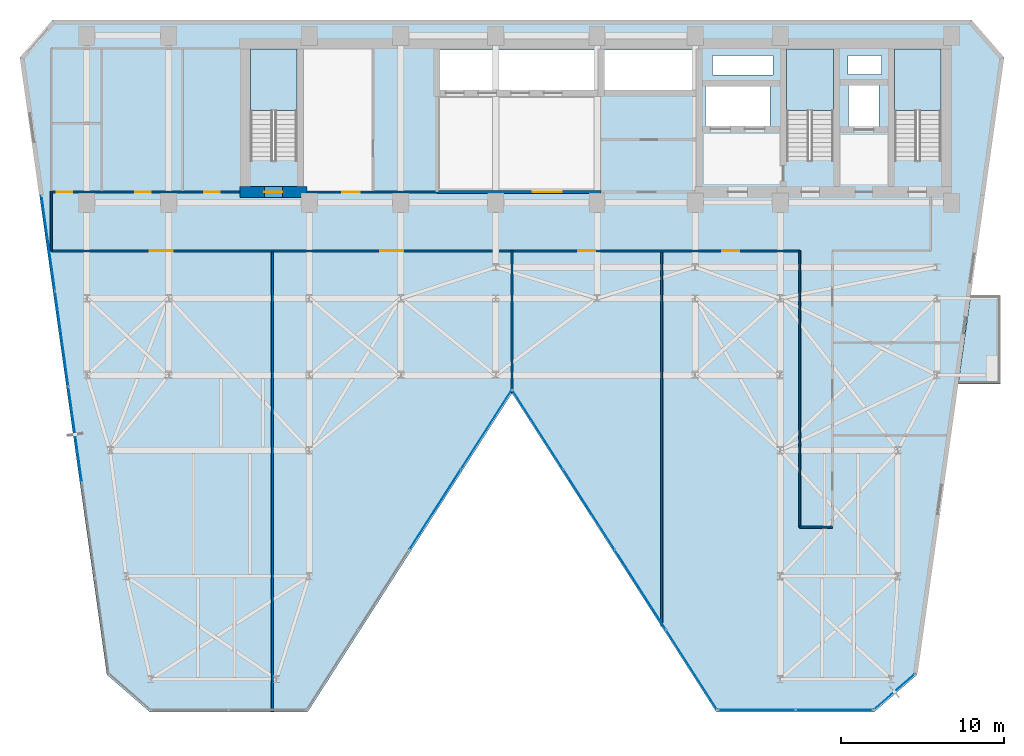
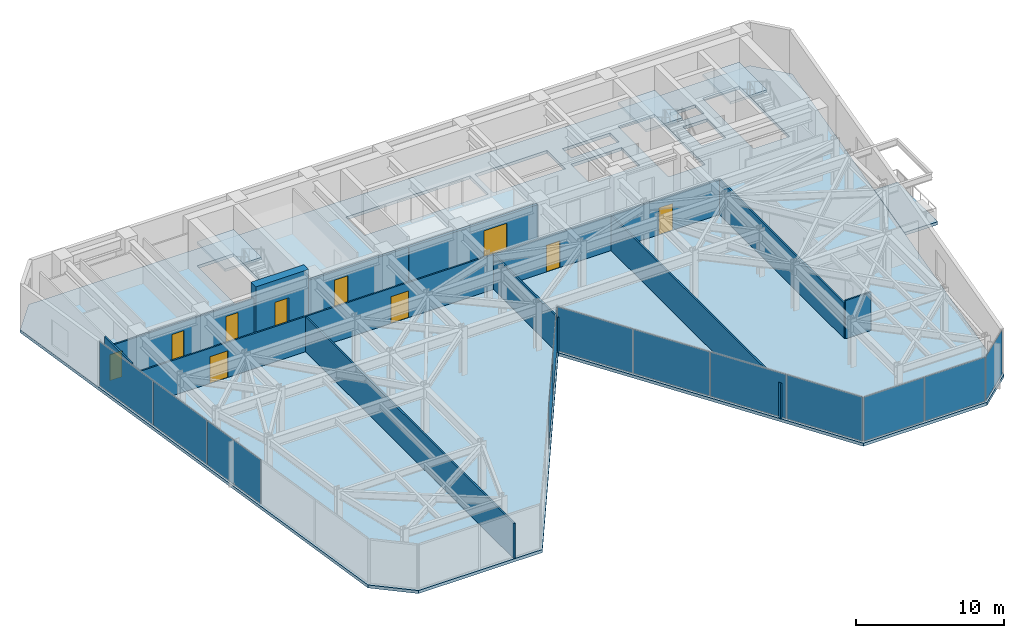
# One storey, part 21 of 26: 12 plates, 12 walls, 10 doors, 5 slabs, 10 openings, 8 elements without a shape of their own.
"""IFC4 building model written with IfcOpenShell, lengths in metres."""

from ifc_helpers import new_model, si_unit, direction, frame, frame_2d, origin, origin_2d, place, context, subcontext, project, spatial, polyline, rectangle, outline, extrude, material, layer, layer_set, type_object, element, fill, aggregate, save


model = new_model("IFC4")

# Units and contexts
model_context = context("Model", 3, precision=1e-05, world=origin(), true_north=direction((0.0, 1.0)))
body_context = subcontext(model_context, "Body", "Model", "MODEL_VIEW")
ifc_project = project(units=[si_unit("LENGTHUNIT", "METRE"), si_unit("AREAUNIT", "SQUARE_METRE"), si_unit("VOLUMEUNIT", "CUBIC_METRE"), si_unit("PLANEANGLEUNIT", "RADIAN"), si_unit("MASSUNIT", "GRAM", prefix="KILO")], contexts=[model_context])

# Site, building, storey
site_placement = place(None, origin())
site = spatial("IfcSite", under=ifc_project, at=site_placement, CompositionType="ELEMENT")
building_placement = place(site_placement, origin())
building = spatial("IfcBuilding", under=site, at=building_placement, Name="Kravanh Interchange Tower", CompositionType="ELEMENT")
storey_placement = place(building_placement, frame((0.0, 0.0, 108.0)))
storey = spatial("IfcBuildingStorey", under=building, at=storey_placement, Name="L25", CompositionType="ELEMENT", Elevation=108.0)

# Slab
ifc_material_1 = material(Name="Concrete C50/60", Category="concrete")
ifc_layer_1 = layer(ifc_material_1, 0.25)
ifc_layer_set_1 = layer_set([ifc_layer_1], Name="Composite Floor Slab Concrete C50/60 250mm")
slab_type_1 = type_object("IfcSlabType", Name="Composite Floor Slab Concrete C50/60 250mm", PredefinedType="FLOOR", material=ifc_layer_set_1)
slab_1_placement = place(storey_placement, frame((0.0, 0.0, -0.25)))
element("IfcSlab", 1, at=slab_1_placement, inside=storey, type_object=slab_type_1, Name="L25 Structural Floor Slab", PredefinedType="FLOOR", context=body_context, shape_type="SweptSolid", body=[
    extrude(outline(polyline([(14.82470703125, 8.4775390625), (17.44482421875, 6.199951171875), (27.10009765625, 6.199951171875), (39.60009765625, 25.699951171875), (52.10009765625, 6.199951171875), (61.755126953125, 6.199951171875), (64.375244140625, 8.4775390625), (69.679931640625, 46.222412109375), (67.699951171875, 48.5), (11.5, 48.5), (9.52001953125, 46.222412109375), (14.82470703125, 8.4775390625)]), holes=[polyline([(65.85009765625, 39.925048828125), (65.85009765625, 46.75), (63.0, 46.75), (63.0, 39.925048828125), (65.85009765625, 39.925048828125)]), polyline([(59.25, 39.925048828125), (59.25, 46.75), (56.39990234375, 46.75), (56.39990234375, 39.925048828125), (59.25, 39.925048828125)]), polyline([(26.449951171875, 39.925048828125), (26.449951171875, 46.75), (23.60009765625, 46.75), (23.60009765625, 39.925048828125), (26.449951171875, 39.925048828125)]), polyline([(35.179931640625, 44.219970703125), (44.840087890625, 44.219970703125), (44.840087890625, 46.699951171875), (35.179931640625, 46.699951171875), (35.179931640625, 44.219970703125)]), polyline([(45.239990234375, 44.219970703125), (50.840087890625, 44.219970703125), (50.840087890625, 46.699951171875), (45.239990234375, 46.699951171875), (45.239990234375, 44.219970703125)]), polyline([(51.419921875, 42.02001953125), (55.3798828125, 42.02001953125), (55.3798828125, 44.47998046875), (51.419921875, 44.47998046875), (51.419921875, 42.02001953125)]), polyline([(60.179931640625, 41.97998046875), (62.06005859375, 41.97998046875), (62.06005859375, 44.52001953125), (60.179931640625, 44.52001953125), (60.179931640625, 41.97998046875)]), polyline([(60.14990234375, 45.199951171875), (62.199951171875, 45.199951171875), (62.199951171875, 46.35009765625), (60.14990234375, 46.35009765625), (60.14990234375, 45.199951171875)]), polyline([(51.85009765625, 45.14990234375), (55.550048828125, 45.14990234375), (55.550048828125, 46.35009765625), (51.85009765625, 46.35009765625), (51.85009765625, 45.14990234375)])]), origin(), (0.0, 0.0, 1.0), 0.25),
])

# Stair, slab
ifc_material_2 = material(Name="Concrete C50/60", Category="concrete")
stair_type = type_object("IfcStairType", Name="Core Fire Exit Dogleg Stair Concrete C50/60", PredefinedType="HALF_TURN_STAIR", material=ifc_material_2)
stair_1_placement = place(storey_placement, origin())
stair_1 = element("IfcStair", 2, at=stair_1_placement, inside=storey, type_object=stair_type, Name="L25 Exit Stair ST1", PredefinedType="HALF_TURN_STAIR")
ifc_material_3 = material(Name="Concrete C50/60", Category="concrete")
ifc_layer_2 = layer(ifc_material_3, 0.199951171875)
ifc_layer_set_2 = layer_set([ifc_layer_2], Name="Concrete C50/60 Stair Half-Landing Slab 200mm")
slab_type_2 = type_object("IfcSlabType", Name="Concrete C50/60 Stair Half-Landing Slab 200mm", PredefinedType="LANDING", material=ifc_layer_set_2)
slab_2_placement = place(storey_placement, frame((0.0, 0.0, 1.800048828125)))
slab_2 = element("IfcSlab", 3, at=slab_2_placement, type_object=slab_type_2, Name="ST1 landing 1", PredefinedType="LANDING", context=body_context, shape_type="SweptSolid", body=[
    extrude(outline(polyline([(65.85009765625, 42.97998046875), (65.85009765625, 46.75), (63.0, 46.75), (63.0, 42.97998046875), (65.85009765625, 42.97998046875)])), origin(), (0.0, 0.0, 1.0), 0.199951171875),
])
aggregate(stair_1, [slab_2])

stair_2_placement = place(storey_placement, origin())
stair_2 = element("IfcStair", 4, at=stair_2_placement, inside=storey, type_object=stair_type, Name="L25 Exit Stair ST2", PredefinedType="HALF_TURN_STAIR")
slab_3_placement = place(storey_placement, frame((0.0, 0.0, 1.800048828125)))
slab_3 = element("IfcSlab", 5, at=slab_3_placement, type_object=slab_type_2, Name="ST2 landing 1", PredefinedType="LANDING", context=body_context, shape_type="SweptSolid", body=[
    extrude(outline(polyline([(59.25, 42.97998046875), (59.25, 46.75), (56.39990234375, 46.75), (56.39990234375, 42.97998046875), (59.25, 42.97998046875)])), origin(), (0.0, 0.0, 1.0), 0.199951171875),
])
aggregate(stair_2, [slab_3])

stair_3_placement = place(storey_placement, origin())
stair_3 = element("IfcStair", 6, at=stair_3_placement, inside=storey, type_object=stair_type, Name="L25 Exit Stair ST3", PredefinedType="HALF_TURN_STAIR")
slab_4_placement = place(storey_placement, frame((0.0, 0.0, 1.800048828125)))
slab_4 = element("IfcSlab", 7, at=slab_4_placement, type_object=slab_type_2, Name="ST3 landing 1", PredefinedType="LANDING", context=body_context, shape_type="SweptSolid", body=[
    extrude(outline(polyline([(26.449951171875, 42.97998046875), (26.449951171875, 46.75), (23.60009765625, 46.75), (23.60009765625, 42.97998046875), (26.449951171875, 42.97998046875)])), origin(), (0.0, 0.0, 1.0), 0.199951171875),
])
aggregate(stair_3, [slab_4])

# Slab
ifc_material_4 = material(Name="Concrete C50/60", Category="concrete")
ifc_layer_3 = layer(ifc_material_4, 0.199951171875)
ifc_layer_set_3 = layer_set([ifc_layer_3], Name="Planted Tree Balcony Slab Concrete C50/60 200mm")
slab_type_3 = type_object("IfcSlabType", Name="Planted Tree Balcony Slab Concrete C50/60 200mm", PredefinedType="USERDEFINED", material=ifc_layer_set_3)
slab_5_placement = place(storey_placement, frame((0.0, 0.0, -0.25)))
element("IfcSlab", 8, at=slab_5_placement, inside=storey, type_object=slab_type_3, Name="L25 East Tree Planter Balcony Slab", ObjectType="BALCONY", PredefinedType="USERDEFINED", context=body_context, shape_type="SweptSolid", body=[
    extrude(outline(polyline([(69.485107421875, 31.669921875), (69.485107421875, 26.27001953125), (66.890869140625, 26.27001953125), (67.64990234375, 31.669921875), (69.485107421875, 31.669921875)])), origin(), (0.0, 0.0, 1.0), 0.25),
])

# Curtain wall, plates
ifc_material_5 = material(Name="Anodised Bronze Aluminium", Category="aluminium")
ifc_layer_4 = layer(ifc_material_5, 0.179931640625)
ifc_layer_set_4 = layer_set([ifc_layer_4], Name="Unitised Curtain Wall System CW-Z2 Mid Office")
curtain_wall_type = type_object("IfcCurtainWallType", Name="Unitised Curtain Wall System CW-Z2 Mid Office", PredefinedType="NOTDEFINED", material=ifc_layer_set_4)
curtain_wall_1_placement = place(storey_placement, origin())
curtain_wall_1 = element("IfcCurtainWall", 9, at=curtain_wall_1_placement, inside=storey, type_object=curtain_wall_type, Name="L25 Unitised Curtain Wall CW-L25-01", PredefinedType="NOTDEFINED")
ifc_material_6 = material(Name="Low-E Laminated Architectural Glass", Category="glass")
ifc_layer_5 = layer(ifc_material_6, 0.02587890625)
ifc_layer_set_5 = layer_set([ifc_layer_5], Name="Solar-Control Double Glazing 26mm")
plate_type = type_object("IfcPlateType", Name="Solar-Control Double Glazing 26mm", PredefinedType="CURTAIN_PANEL", material=ifc_layer_set_5)
plate_1_placement = place(storey_placement, frame((12.881103515625, 23.16943359375, 0.06005859375), z_axis=(0.0, 0.0, 1.0), x_axis=(-0.13917285118, 0.990268103846, 0.0)))
plate_1 = element("IfcPlate", 10, at=plate_1_placement, type_object=plate_type, Name="CW-Z2 panel 3.1", PredefinedType="CURTAIN_PANEL", context=body_context, shape_type="SweptSolid", body=[
    extrude(rectangle(XDim=5.849853515625, YDim=0.02587890625, at=origin_2d()), origin(), (0.0, 0.0, 1.0), 3.6298828125),
])
plate_2_placement = place(storey_placement, frame((12.058837890625, 29.021728515625, 0.06005859375), z_axis=(0.0, 0.0, 1.0), x_axis=(-0.13917285118, 0.990268103846, 0.0)))
plate_2 = element("IfcPlate", 11, at=plate_2_placement, type_object=plate_type, Name="CW-Z2 panel 4.1", PredefinedType="CURTAIN_PANEL", context=body_context, shape_type="SweptSolid", body=[
    extrude(rectangle(XDim=5.849853515625, YDim=0.02587890625, at=origin_2d()), origin(), (0.0, 0.0, 1.0), 3.6298828125),
])
plate_3_placement = place(storey_placement, frame((11.23828125, 34.859130859375, 0.06005859375), z_axis=(0.0, 0.0, 1.0), x_axis=(-0.13917285118, 0.990268103846, 0.0)))
plate_3 = element("IfcPlate", 12, at=plate_3_placement, type_object=plate_type, Name="CW-Z2 panel 5.1", PredefinedType="CURTAIN_PANEL", context=body_context, shape_type="SweptSolid", body=[
    extrude(rectangle(XDim=5.81982421875, YDim=0.02587890625, at=origin_2d()), origin(), (0.0, 0.0, 1.0), 3.6298828125),
])
aggregate(curtain_wall_1, [plate_1, plate_2, plate_3])

# Curtain wall, plate
curtain_wall_2_placement = place(storey_placement, origin())
curtain_wall_2 = element("IfcCurtainWall", 13, at=curtain_wall_2_placement, inside=storey, type_object=curtain_wall_type, Name="L25 Unitised Curtain Wall CW-L25-02", PredefinedType="NOTDEFINED")
plate_4_placement = place(storey_placement, frame((62.986328125, 7.429443359375, 0.06005859375), z_axis=(0.0, 0.0, 1.0), x_axis=(-0.754719458103, -0.656047665617, 0.0)))
plate_4 = element("IfcPlate", 14, at=plate_4_placement, type_object=plate_type, Name="CW-Z2 panel 1.1", PredefinedType="CURTAIN_PANEL", context=body_context, shape_type="SweptSolid", body=[
    extrude(rectangle(XDim=3.261962890625, YDim=0.02587890625, at=origin_2d()), origin(), (0.0, 0.0, 1.0), 3.6298828125),
])
aggregate(curtain_wall_2, [plate_4])

# Curtain wall, plates
curtain_wall_3_placement = place(storey_placement, origin())
curtain_wall_3 = element("IfcCurtainWall", 15, at=curtain_wall_3_placement, inside=storey, type_object=curtain_wall_type, Name="L25 Unitised Curtain Wall CW-L25-03", PredefinedType="NOTDEFINED")
plate_5_placement = place(storey_placement, frame((59.30908203125, 6.320068359375, 0.06005859375), z_axis=(0.0, 0.0, 1.0), x_axis=(-1.0, 0.0, 0.0)))
plate_5 = element("IfcPlate", 16, at=plate_5_placement, type_object=plate_type, Name="CW-Z2 panel 1.1", PredefinedType="CURTAIN_PANEL", context=body_context, shape_type="SweptSolid", body=[
    extrude(rectangle(XDim=4.682373046875, YDim=0.02587890625, at=origin_2d()), origin(), (0.0, 0.0, 1.0), 3.6298828125),
])
plate_6_placement = place(storey_placement, frame((54.566650390625, 6.320068359375, 0.06005859375), z_axis=(0.0, 0.0, 1.0), x_axis=(-1.0, 0.0, 0.0)))
plate_6 = element("IfcPlate", 17, at=plate_6_placement, type_object=plate_type, Name="CW-Z2 panel 2.1", PredefinedType="CURTAIN_PANEL", context=body_context, shape_type="SweptSolid", body=[
    extrude(rectangle(XDim=4.682373046875, YDim=0.02587890625, at=origin_2d()), origin(), (0.0, 0.0, 1.0), 3.6298828125),
])
aggregate(curtain_wall_3, [plate_5, plate_6])

curtain_wall_4_placement = place(storey_placement, origin())
curtain_wall_4 = element("IfcCurtainWall", 18, at=curtain_wall_4_placement, inside=storey, type_object=curtain_wall_type, Name="L25 Unitised Curtain Wall CW-L25-04", PredefinedType="NOTDEFINED")
plate_7_placement = place(storey_placement, frame((50.5869140625, 8.782958984375, 0.06005859375), z_axis=(0.0, 0.0, 1.0), x_axis=(-0.539664865919, 0.841879939476, 0.0)))
plate_7 = element("IfcPlate", 19, at=plate_7_placement, type_object=plate_type, Name="CW-Z2 panel 1.1", PredefinedType="CURTAIN_PANEL", context=body_context, shape_type="SweptSolid", body=[
    extrude(rectangle(XDim=5.73095703125, YDim=0.02587890625, at=origin_2d()), origin(), (0.0, 0.0, 1.0), 3.6298828125),
])
plate_8_placement = place(storey_placement, frame((47.45361328125, 13.6708984375, 0.06005859375), z_axis=(0.0, 0.0, 1.0), x_axis=(-0.539664865919, 0.841879939476, 0.0)))
plate_8 = element("IfcPlate", 20, at=plate_8_placement, type_object=plate_type, Name="CW-Z2 panel 2.1", PredefinedType="CURTAIN_PANEL", context=body_context, shape_type="SweptSolid", body=[
    extrude(rectangle(XDim=5.760986328125, YDim=0.02587890625, at=origin_2d()), origin(), (0.0, 0.0, 1.0), 3.6298828125),
])
plate_9_placement = place(storey_placement, frame((44.31201171875, 18.571533203125, 0.06005859375), z_axis=(0.0, 0.0, 1.0), x_axis=(-0.539664865919, 0.841879939476, 0.0)))
plate_9 = element("IfcPlate", 21, at=plate_9_placement, type_object=plate_type, Name="CW-Z2 panel 3.1", PredefinedType="CURTAIN_PANEL", context=body_context, shape_type="SweptSolid", body=[
    extrude(rectangle(XDim=5.760986328125, YDim=0.02587890625, at=origin_2d()), origin(), (0.0, 0.0, 1.0), 3.6298828125),
])
plate_10_placement = place(storey_placement, frame((41.1787109375, 23.45947265625, 0.06005859375), z_axis=(0.0, 0.0, 1.0), x_axis=(-0.539664865919, 0.841879939476, 0.0)))
plate_10 = element("IfcPlate", 22, at=plate_10_placement, type_object=plate_type, Name="CW-Z2 panel 4.1", PredefinedType="CURTAIN_PANEL", context=body_context, shape_type="SweptSolid", body=[
    extrude(rectangle(XDim=5.73095703125, YDim=0.02587890625, at=origin_2d()), origin(), (0.0, 0.0, 1.0), 3.6298828125),
])
aggregate(curtain_wall_4, [plate_7, plate_8, plate_9, plate_10])

curtain_wall_5_placement = place(storey_placement, origin())
curtain_wall_5 = element("IfcCurtainWall", 23, at=curtain_wall_5_placement, inside=storey, type_object=curtain_wall_type, Name="L25 Unitised Curtain Wall CW-L25-05", PredefinedType="NOTDEFINED")
plate_11_placement = place(storey_placement, frame((38.021240234375, 23.45947265625, 0.06005859375), z_axis=(0.0, 0.0, 1.0), x_axis=(-0.539664865919, -0.841879939476, 0.0)))
plate_11 = element("IfcPlate", 24, at=plate_11_placement, type_object=plate_type, Name="CW-Z2 panel 1.1", PredefinedType="CURTAIN_PANEL", context=body_context, shape_type="SweptSolid", body=[
    extrude(rectangle(XDim=5.73095703125, YDim=0.02587890625, at=origin_2d()), origin(), (0.0, 0.0, 1.0), 3.6298828125),
])
plate_12_placement = place(storey_placement, frame((34.887939453125, 18.571533203125, 0.06005859375), z_axis=(0.0, 0.0, 1.0), x_axis=(-0.539664865919, -0.841879939476, 0.0)))
plate_12 = element("IfcPlate", 25, at=plate_12_placement, type_object=plate_type, Name="CW-Z2 panel 2.1", PredefinedType="CURTAIN_PANEL", context=body_context, shape_type="SweptSolid", body=[
    extrude(rectangle(XDim=5.760986328125, YDim=0.02587890625, at=origin_2d()), origin(), (0.0, 0.0, 1.0), 3.6298828125),
])
aggregate(curtain_wall_5, [plate_11, plate_12])

# Wall, openings, doors
ifc_material_7 = material(Name="Double Acoustic Gypsum Board and Mineral Wool")
ifc_layer_6 = layer(ifc_material_7, 0.1201171875)
ifc_layer_set_6 = layer_set([ifc_layer_6], Name="Acoustic Office Drywall Partition 120mm")
wall_type_1 = type_object("IfcWallType", Name="Acoustic Office Drywall Partition 120mm", PredefinedType="PARTITIONING", material=ifc_layer_set_6)
wall_1_placement = place(storey_placement, frame((11.419921875, 38.0, 0.0), z_axis=(0.0, 0.0, 1.0), x_axis=(1.0, 0.0, 0.0)))
wall_1 = element("IfcWall", 26, at=wall_1_placement, inside=storey, type_object=wall_type_1, Name="L25 Restroom Corridor Wall 7", PredefinedType="PARTITIONING", context=body_context, shape_type="SweptSolid", body=[
    extrude(rectangle(XDim=11.530029296875, YDim=0.1201171875, at=frame_2d((5.76513671875, 0.0))), origin(), (0.0, 0.0, 1.0), 2.89404296875),
])
opening_1_placement = place(wall_1_placement, frame((0.3427734375, 0.0, 0.0)))
opening_1 = element("IfcOpeningElement", 27, at=opening_1_placement, cuts=wall_1, Name="Opening D-95", PredefinedType="OPENING", context=body_context, shape_type="SweptSolid", body=[
    extrude(rectangle(XDim=0.949951171875, YDim=2.14990234375, at=frame_2d((0.47509765625, 1.074951171875))), frame((0.0, 0.070068359375, 0.0), z_axis=(0.0, -1.0, 0.0), x_axis=(1.0, 0.0, 0.0)), (0.0, 0.0, 1.0), 0.14013671875),
])
opening_2_placement = place(wall_1_placement, frame((5.130126953125, 0.0, 0.0)))
opening_2 = element("IfcOpeningElement", 28, at=opening_2_placement, cuts=wall_1, Name="Opening D-95", PredefinedType="OPENING", context=body_context, shape_type="SweptSolid", body=[
    extrude(rectangle(XDim=0.949951171875, YDim=2.14990234375, at=frame_2d((0.47509765625, 1.074951171875))), frame((0.0, 0.070068359375, 0.0), z_axis=(0.0, -1.0, 0.0), x_axis=(1.0, 0.0, 0.0)), (0.0, 0.0, 1.0), 0.14013671875),
])
opening_3_placement = place(wall_1_placement, frame((9.344970703125, 0.0, 0.0)))
opening_3 = element("IfcOpeningElement", 29, at=opening_3_placement, cuts=wall_1, Name="Opening D-95", PredefinedType="OPENING", context=body_context, shape_type="SweptSolid", body=[
    extrude(rectangle(XDim=0.949951171875, YDim=2.14990234375, at=frame_2d((0.47509765625, 1.074951171875))), frame((0.0, 0.070068359375, 0.0), z_axis=(0.0, -1.0, 0.0), x_axis=(1.0, 0.0, 0.0)), (0.0, 0.0, 1.0), 0.14013671875),
])
ifc_material_8 = material(Name="Laminate Solid-Core Timber", Category="wood")
door_type_1 = type_object("IfcDoorType", Name="Accessible Restroom Door 950x2150", OperationType="NOTDEFINED", PredefinedType="DOOR", material=ifc_material_8)
door_1_placement = place(opening_1_placement, origin())
door_1 = element("IfcDoor", 30, at=door_1_placement, inside=storey, type_object=door_type_1, Name="L25 Accessible WC Door", OperationType="SINGLE_SWING_RIGHT", OverallHeight=2.14990234375, OverallWidth=0.949951171875, PredefinedType="DOOR", context=body_context, shape_type="SweptSolid", body=[
    extrude(rectangle(XDim=0.949951171875, YDim=2.14990234375, at=frame_2d((0.47509765625, 1.074951171875))), frame((0.0, 0.02490234375, 0.0), z_axis=(0.0, -1.0, 0.0), x_axis=(1.0, 0.0, 0.0)), (0.0, 0.0, 1.0), 0.050048828125),
])
fill(opening_1, door_1)
door_2_placement = place(opening_2_placement, origin())
door_2 = element("IfcDoor", 31, at=door_2_placement, inside=storey, type_object=door_type_1, Name="L25 Female WC Door", OperationType="SINGLE_SWING_LEFT", OverallHeight=2.14990234375, OverallWidth=0.949951171875, PredefinedType="DOOR", context=body_context, shape_type="SweptSolid", body=[
    extrude(rectangle(XDim=0.949951171875, YDim=2.14990234375, at=frame_2d((0.47509765625, 1.074951171875))), frame((0.0, 0.02490234375, 0.0), z_axis=(0.0, -1.0, 0.0), x_axis=(1.0, 0.0, 0.0)), (0.0, 0.0, 1.0), 0.050048828125),
])
fill(opening_2, door_2)
door_3_placement = place(opening_3_placement, origin())
door_3 = element("IfcDoor", 32, at=door_3_placement, inside=storey, type_object=door_type_1, Name="L25 Male WC Door", OperationType="SINGLE_SWING_RIGHT", OverallHeight=2.14990234375, OverallWidth=0.949951171875, PredefinedType="DOOR", context=body_context, shape_type="SweptSolid", body=[
    extrude(rectangle(XDim=0.949951171875, YDim=2.14990234375, at=frame_2d((0.47509765625, 1.074951171875))), frame((0.0, 0.02490234375, 0.0), z_axis=(0.0, -1.0, 0.0), x_axis=(1.0, 0.0, 0.0)), (0.0, 0.0, 1.0), 0.050048828125),
])
fill(opening_3, door_3)

wall_2_placement = place(storey_placement, frame((11.419921875, 34.39990234375, 0.0), z_axis=(0.0, 0.0, 1.0), x_axis=(1.0, 0.0, 0.0)))
wall_2 = element("IfcWall", 33, at=wall_2_placement, inside=storey, type_object=wall_type_1, Name="L25 Interior Partition 13", PredefinedType="PARTITIONING", context=body_context, shape_type="SweptSolid", body=[
    extrude(rectangle(XDim=28.18017578125, YDim=0.1201171875, at=frame_2d((14.090087890625, 0.0))), origin(), (0.0, 0.0, 1.0), 2.89404296875),
])
opening_4_placement = place(wall_2_placement, frame((6.02490234375, 0.0, 0.0)))
opening_4 = element("IfcOpeningElement", 34, at=opening_4_placement, cuts=wall_2, Name="Opening DBL-140", PredefinedType="OPENING", context=body_context, shape_type="SweptSolid", body=[
    extrude(rectangle(XDim=1.39990234375, YDim=2.199951171875, at=frame_2d((0.699951171875, 1.10009765625))), frame((0.0, 0.070068359375, 0.0), z_axis=(0.0, -1.0, 0.0), x_axis=(1.0, 0.0, 0.0)), (0.0, 0.0, 1.0), 0.14013671875),
])
opening_5_placement = place(wall_2_placement, frame((20.114990234375, 0.0, 0.0)))
opening_5 = element("IfcOpeningElement", 35, at=opening_5_placement, cuts=wall_2, Name="Opening DBL-140", PredefinedType="OPENING", context=body_context, shape_type="SweptSolid", body=[
    extrude(rectangle(XDim=1.39990234375, YDim=2.199951171875, at=frame_2d((0.699951171875, 1.10009765625))), frame((0.0, 0.070068359375, 0.0), z_axis=(0.0, -1.0, 0.0), x_axis=(1.0, 0.0, 0.0)), (0.0, 0.0, 1.0), 0.14013671875),
])
ifc_material_9 = material(Name="Acoustic Bronze-Framed Glass", Category="glass")
door_type_2 = type_object("IfcDoorType", Name="Hospitality Lounge Double Door 1400x2200", OperationType="DOUBLE_DOOR_SINGLE_SWING", PredefinedType="DOOR", material=ifc_material_9)
door_4_placement = place(opening_4_placement, origin())
door_4 = element("IfcDoor", 36, at=door_4_placement, inside=storey, type_object=door_type_2, Name="L25 West Seminar Meeting Hall Door", OperationType="DOUBLE_DOOR_SINGLE_SWING", OverallHeight=2.199951171875, OverallWidth=1.39990234375, PredefinedType="DOOR", context=body_context, shape_type="SweptSolid", body=[
    extrude(rectangle(XDim=1.39990234375, YDim=2.199951171875, at=frame_2d((0.699951171875, 1.10009765625))), frame((0.0, 0.02490234375, 0.0), z_axis=(0.0, -1.0, 0.0), x_axis=(1.0, 0.0, 0.0)), (0.0, 0.0, 1.0), 0.050048828125),
])
fill(opening_4, door_4)
door_5_placement = place(opening_5_placement, origin())
door_5 = element("IfcDoor", 37, at=door_5_placement, inside=storey, type_object=door_type_2, Name="L25 Caucus Meeting Room A Door", OperationType="DOUBLE_DOOR_SINGLE_SWING", OverallHeight=2.199951171875, OverallWidth=1.39990234375, PredefinedType="DOOR", context=body_context, shape_type="SweptSolid", body=[
    extrude(rectangle(XDim=1.39990234375, YDim=2.199951171875, at=frame_2d((0.699951171875, 1.10009765625))), frame((0.0, 0.02490234375, 0.0), z_axis=(0.0, -1.0, 0.0), x_axis=(1.0, 0.0, 0.0)), (0.0, 0.0, 1.0), 0.050048828125),
])
fill(opening_5, door_5)

wall_3_placement = place(storey_placement, frame((39.60009765625, 34.39990234375, 0.0), z_axis=(0.0, 0.0, 1.0), x_axis=(1.0, 0.0, 0.0)))
wall_3 = element("IfcWall", 38, at=wall_3_placement, inside=storey, type_object=wall_type_1, Name="L25 Interior Partition 14", PredefinedType="PARTITIONING", context=body_context, shape_type="SweptSolid", body=[
    extrude(rectangle(XDim=17.599853515625, YDim=0.1201171875, at=frame_2d((8.7998046875, 0.0))), origin(), (0.0, 0.0, 1.0), 2.89404296875),
])
opening_6_placement = place(wall_3_placement, frame((4.050048828125, 0.0, 0.0)))
opening_6 = element("IfcOpeningElement", 39, at=opening_6_placement, cuts=wall_3, Name="Opening D-105", PredefinedType="OPENING", context=body_context, shape_type="SweptSolid", body=[
    extrude(rectangle(XDim=1.050048828125, YDim=2.199951171875, at=frame_2d((0.52490234375, 1.10009765625))), frame((0.0, 0.070068359375, 0.0), z_axis=(0.0, -1.0, 0.0), x_axis=(1.0, 0.0, 0.0)), (0.0, 0.0, 1.0), 0.14013671875),
])
opening_7_placement = place(wall_3_placement, frame((12.85009765625, 0.0, 0.0)))
opening_7 = element("IfcOpeningElement", 40, at=opening_7_placement, cuts=wall_3, Name="Opening D-105", PredefinedType="OPENING", context=body_context, shape_type="SweptSolid", body=[
    extrude(rectangle(XDim=1.050048828125, YDim=2.199951171875, at=frame_2d((0.52490234375, 1.10009765625))), frame((0.0, 0.070068359375, 0.0), z_axis=(0.0, -1.0, 0.0), x_axis=(1.0, 0.0, 0.0)), (0.0, 0.0, 1.0), 0.14013671875),
])
ifc_material_10 = material(Name="Acoustic Glazed Oak and Aluminium", Category="aluminium")
door_type_3 = type_object("IfcDoorType", Name="Office Workplace Door 1050x2200", OperationType="NOTDEFINED", PredefinedType="DOOR", material=ifc_material_10)
door_6_placement = place(opening_6_placement, origin())
door_6 = element("IfcDoor", 41, at=door_6_placement, inside=storey, type_object=door_type_3, Name="L25 Boardroom Central Door", OperationType="SINGLE_SWING_RIGHT", OverallHeight=2.199951171875, OverallWidth=1.050048828125, PredefinedType="DOOR", context=body_context, shape_type="SweptSolid", body=[
    extrude(rectangle(XDim=1.050048828125, YDim=2.199951171875, at=frame_2d((0.52490234375, 1.10009765625))), frame((0.0, 0.02490234375, 0.0), z_axis=(0.0, -1.0, 0.0), x_axis=(1.0, 0.0, 0.0)), (0.0, 0.0, 1.0), 0.050048828125),
])
fill(opening_6, door_6)
door_7_placement = place(opening_7_placement, origin())
door_7 = element("IfcDoor", 42, at=door_7_placement, inside=storey, type_object=door_type_3, Name="L25 Client Meeting Room B Door", OperationType="SINGLE_SWING_LEFT", OverallHeight=2.199951171875, OverallWidth=1.050048828125, PredefinedType="DOOR", context=body_context, shape_type="SweptSolid", body=[
    extrude(rectangle(XDim=1.050048828125, YDim=2.199951171875, at=frame_2d((0.52490234375, 1.10009765625))), frame((0.0, 0.02490234375, 0.0), z_axis=(0.0, -1.0, 0.0), x_axis=(1.0, 0.0, 0.0)), (0.0, 0.0, 1.0), 0.050048828125),
])
fill(opening_7, door_7)

# Walls
wall_4_placement = place(storey_placement, frame((11.419921875, 34.39990234375, 0.0), z_axis=(0.0, 0.0, 1.0), x_axis=(0.0, 1.0, 0.0)))
element("IfcWall", 43, at=wall_4_placement, inside=storey, type_object=wall_type_1, Name="L25 Interior Partition 16", PredefinedType="PARTITIONING", context=body_context, shape_type="SweptSolid", body=[
    extrude(rectangle(XDim=3.650146484375, YDim=0.1201171875, at=frame_2d((1.8251953125, 0.0))), origin(), (0.0, 0.0, 1.0), 3.75),
])
wall_5_placement = place(storey_placement, frame((57.199951171875, 17.5, 0.0), z_axis=(0.0, 0.0, 1.0), x_axis=(0.0, 1.0, 0.0)))
element("IfcWall", 44, at=wall_5_placement, inside=storey, type_object=wall_type_1, Name="L25 Interior Partition 18", PredefinedType="PARTITIONING", context=body_context, shape_type="SweptSolid", body=[
    extrude(rectangle(XDim=16.89990234375, YDim=0.1201171875, at=frame_2d((8.449951171875, 0.0))), origin(), (0.0, 0.0, 1.0), 2.89404296875),
])
wall_6_placement = place(storey_placement, frame((57.199951171875, 17.5, 0.0), z_axis=(0.0, 0.0, 1.0), x_axis=(1.0, 0.0, 0.0)))
element("IfcWall", 45, at=wall_6_placement, inside=storey, type_object=wall_type_1, Name="L25 Interior Partition 20", PredefinedType="PARTITIONING", context=body_context, shape_type="SweptSolid", body=[
    extrude(rectangle(XDim=2.0, YDim=0.1201171875, at=frame_2d((1.0, 0.0))), origin(), (0.0, 0.0, 1.0), 3.14208984375),
])
wall_7_placement = place(storey_placement, frame((39.60009765625, 25.727783203125, 0.0), z_axis=(0.0, 0.0, 1.0), x_axis=(0.0, 1.0, 0.0)))
element("IfcWall", 46, at=wall_7_placement, inside=storey, type_object=wall_type_1, Name="L25 Interior Partition 23", PredefinedType="PARTITIONING", context=body_context, shape_type="SweptSolid", body=[
    extrude(rectangle(XDim=8.672119140625, YDim=0.1201171875, at=frame_2d((4.3359375, 0.0))), origin(), (0.0, 0.0, 1.0), 2.89404296875),
])
wall_8_placement = place(storey_placement, frame((24.949951171875, 6.215087890625, 0.0), z_axis=(0.0, 0.0, 1.0), x_axis=(0.0, 1.0, 0.0)))
element("IfcWall", 47, at=wall_8_placement, inside=storey, type_object=wall_type_1, Name="L25 Interior Partition 24", PredefinedType="PARTITIONING", context=body_context, shape_type="SweptSolid", body=[
    extrude(rectangle(XDim=28.116943359375, YDim=0.1201171875, at=frame_2d((14.05859375, 0.0))), origin(), (0.0, 0.0, 1.0), 2.89404296875),
])
wall_9_placement = place(storey_placement, frame((48.75, 11.453857421875, 0.0), z_axis=(0.0, 0.0, 1.0), x_axis=(0.0, 1.0, 0.0)))
element("IfcWall", 48, at=wall_9_placement, inside=storey, type_object=wall_type_1, Name="L25 Interior Partition 25", PredefinedType="PARTITIONING", context=body_context, shape_type="SweptSolid", body=[
    extrude(rectangle(XDim=22.878173828125, YDim=0.1201171875, at=frame_2d((11.43896484375, 0.0))), origin(), (0.0, 0.0, 1.0), 2.89404296875),
])

# Wall, opening, door
ifc_material_11 = material(Name="Concrete C70/85", Category="concrete")
ifc_layer_7 = layer(ifc_material_11, 0.64990234375)
ifc_layer_set_7 = layer_set([ifc_layer_7], Name="Core Shear Wall Concrete C70/85 650mm")
wall_type_2 = type_object("IfcWallType", Name="Core Shear Wall Concrete C70/85 650mm", PredefinedType="SHEAR", material=ifc_layer_set_7)
wall_10_placement = place(storey_placement, frame((22.949951171875, 38.0, 0.0), z_axis=(0.0, 0.0, 1.0), x_axis=(1.0, 0.0, 0.0)))
wall_10 = element("IfcWall", 49, at=wall_10_placement, inside=storey, type_object=wall_type_2, Name="L25 Stair ST3 South Shear Wall", PredefinedType="SHEAR", context=body_context, shape_type="SweptSolid", body=[
    extrude(rectangle(XDim=4.10009765625, YDim=0.64990234375, at=frame_2d((2.050048828125, 0.0))), origin(), (0.0, 0.0, 1.0), 4.0),
])
opening_8_placement = place(wall_10_placement, frame((1.5, 0.0, 0.0)))
opening_8 = element("IfcOpeningElement", 50, at=opening_8_placement, cuts=wall_10, Name="Opening D-STAIR-110", PredefinedType="OPENING", context=body_context, shape_type="SweptSolid", body=[
    extrude(rectangle(XDim=1.10009765625, YDim=2.199951171875, at=frame_2d((0.550048828125, 1.10009765625))), frame((0.0, 0.3349609375, 0.0), z_axis=(0.0, -1.0, 0.0), x_axis=(1.0, 0.0, 0.0)), (0.0, 0.0, 1.0), 0.669921875),
])
ifc_material_12 = material(Name="Structural Steel S355", Category="steel")
door_type_4 = type_object("IfcDoorType", Name="Fire-Rated Exit Stair Door 1100x2200", OperationType="NOTDEFINED", PredefinedType="DOOR", material=ifc_material_12)
door_8_placement = place(opening_8_placement, origin())
door_8 = element("IfcDoor", 51, at=door_8_placement, inside=storey, type_object=door_type_4, Name="L25 Exit Stair ST3 Door", OperationType="SINGLE_SWING_RIGHT", OverallHeight=2.199951171875, OverallWidth=1.10009765625, PredefinedType="DOOR", context=body_context, shape_type="SweptSolid", body=[
    extrude(rectangle(XDim=1.10009765625, YDim=2.199951171875, at=frame_2d((0.550048828125, 1.10009765625))), frame((0.0, 0.02490234375, 0.0), z_axis=(0.0, -1.0, 0.0), x_axis=(1.0, 0.0, 0.0)), (0.0, 0.0, 1.0), 0.050048828125),
])
fill(opening_8, door_8)

ifc_material_13 = material(Name="Autoclaved Aerated Concrete C30/37 Blockwork", Category="masonry")
ifc_layer_8 = layer(ifc_material_13, 0.179931640625)
ifc_layer_set_8 = layer_set([ifc_layer_8], Name="Fire-Rated Lobby and Corridor Wall Concrete C30/37 180mm")
wall_type_3 = type_object("IfcWallType", Name="Fire-Rated Lobby and Corridor Wall Concrete C30/37 180mm", PredefinedType="STANDARD", material=ifc_layer_set_8)
wall_11_placement = place(storey_placement, frame((35.0, 38.0, 0.0), z_axis=(0.0, 0.0, 1.0), x_axis=(1.0, 0.0, 0.0)))
wall_11 = element("IfcWall", 52, at=wall_11_placement, inside=storey, type_object=wall_type_3, Name="L25 Interior Partition 6", PredefinedType="STANDARD", context=body_context, shape_type="SweptSolid", body=[
    extrude(rectangle(XDim=10.050048828125, YDim=0.179931640625, at=frame_2d((5.02490234375, 0.0))), origin(), (0.0, 0.0, 1.0), 2.89404296875),
])
opening_9_placement = place(wall_11_placement, frame((5.85791015625, 0.0, 0.0)))
opening_9 = element("IfcOpeningElement", 53, at=opening_9_placement, cuts=wall_11, Name="Opening DBL-180", PredefinedType="OPENING", context=body_context, shape_type="SweptSolid", body=[
    extrude(rectangle(XDim=1.800048828125, YDim=2.199951171875, at=frame_2d((0.89990234375, 1.10009765625))), frame((0.0, 0.10009765625, 0.0), z_axis=(0.0, -1.0, 0.0), x_axis=(1.0, 0.0, 0.0)), (0.0, 0.0, 1.0), 0.199951171875),
])
ifc_material_14 = material(Name="Structural Steel S355", Category="steel")
door_type_5 = type_object("IfcDoorType", Name="Lift Lobby Double Fire Door 1800x2200", OperationType="DOUBLE_DOOR_SINGLE_SWING", PredefinedType="DOOR", material=ifc_material_14)
door_9_placement = place(opening_9_placement, origin())
door_9 = element("IfcDoor", 54, at=door_9_placement, inside=storey, type_object=door_type_5, Name="L25 Mid-Rise Lift Lobby Door", OperationType="DOUBLE_DOOR_SINGLE_SWING", OverallHeight=2.199951171875, OverallWidth=1.800048828125, PredefinedType="DOOR", context=body_context, shape_type="SweptSolid", body=[
    extrude(rectangle(XDim=1.800048828125, YDim=2.199951171875, at=frame_2d((0.89990234375, 1.10009765625))), frame((0.0, 0.02490234375, 0.0), z_axis=(0.0, -1.0, 0.0), x_axis=(1.0, 0.0, 0.0)), (0.0, 0.0, 1.0), 0.050048828125),
])
fill(opening_9, door_9)

ifc_material_15 = material(Name="Twin Stud Acoustic Gypsum Board Wall")
ifc_layer_9 = layer(ifc_material_15, 0.14990234375)
ifc_layer_set_9 = layer_set([ifc_layer_9], Name="Medium-Duty Acoustic Partition 150mm")
wall_type_4 = type_object("IfcWallType", Name="Medium-Duty Acoustic Partition 150mm", PredefinedType="PARTITIONING", material=ifc_layer_set_9)
wall_12_placement = place(storey_placement, frame((27.050048828125, 38.0, 0.0), z_axis=(0.0, 0.0, 1.0), x_axis=(1.0, 0.0, 0.0)))
wall_12 = element("IfcWall", 55, at=wall_12_placement, inside=storey, type_object=wall_type_4, Name="L25 Interior Partition 3", PredefinedType="PARTITIONING", context=body_context, shape_type="SweptSolid", body=[
    extrude(rectangle(XDim=7.949951171875, YDim=0.14990234375, at=frame_2d((3.97509765625, 0.0))), origin(), (0.0, 0.0, 1.0), 2.89404296875),
])
opening_10_placement = place(wall_12_placement, frame((2.175048828125, 0.0, 0.0)))
opening_10 = element("IfcOpeningElement", 56, at=opening_10_placement, cuts=wall_12, Name="Opening D-105", PredefinedType="OPENING", context=body_context, shape_type="SweptSolid", body=[
    extrude(rectangle(XDim=1.050048828125, YDim=2.199951171875, at=frame_2d((0.52490234375, 1.10009765625))), frame((0.0, 0.0849609375, 0.0), z_axis=(0.0, -1.0, 0.0), x_axis=(1.0, 0.0, 0.0)), (0.0, 0.0, 1.0), 0.169921875),
])
door_10_placement = place(opening_10_placement, origin())
door_10 = element("IfcDoor", 57, at=door_10_placement, inside=storey, type_object=door_type_3, Name="L25 Reclaimed IT Hub Door", OperationType="SINGLE_SWING_RIGHT", OverallHeight=2.199951171875, OverallWidth=1.050048828125, PredefinedType="DOOR", context=body_context, shape_type="SweptSolid", body=[
    extrude(rectangle(XDim=1.050048828125, YDim=2.199951171875, at=frame_2d((0.52490234375, 1.10009765625))), frame((0.0, 0.02490234375, 0.0), z_axis=(0.0, -1.0, 0.0), x_axis=(1.0, 0.0, 0.0)), (0.0, 0.0, 1.0), 0.050048828125),
])
fill(opening_10, door_10)

save(model, "model.ifc")
